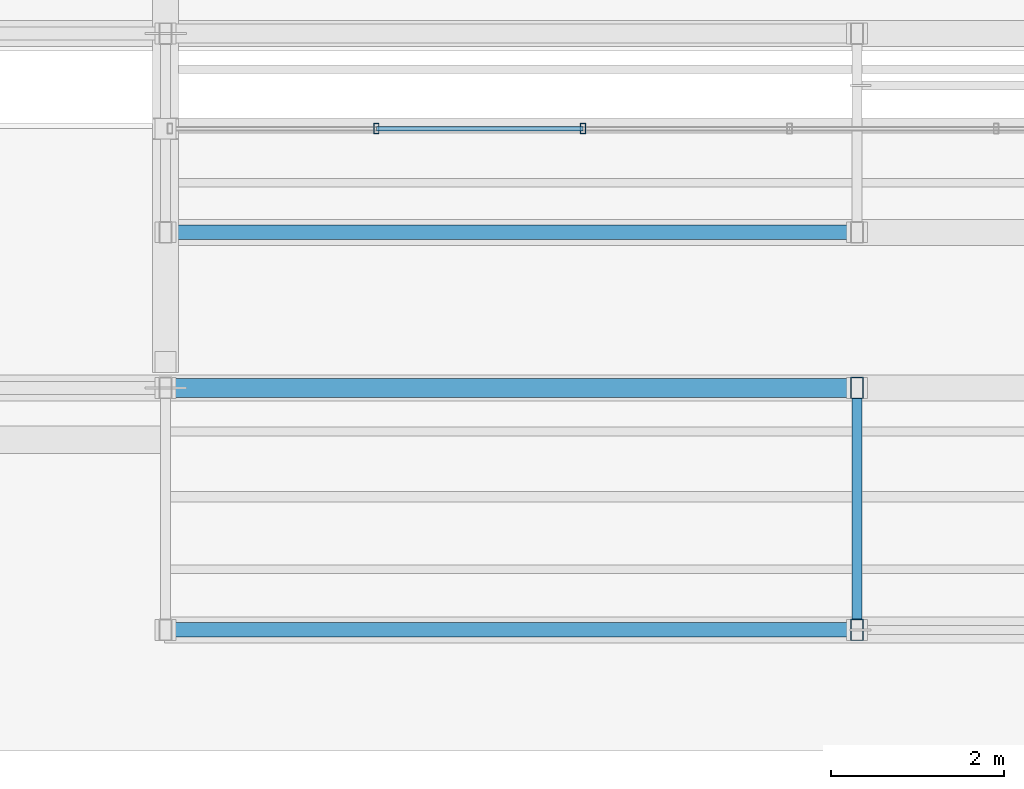
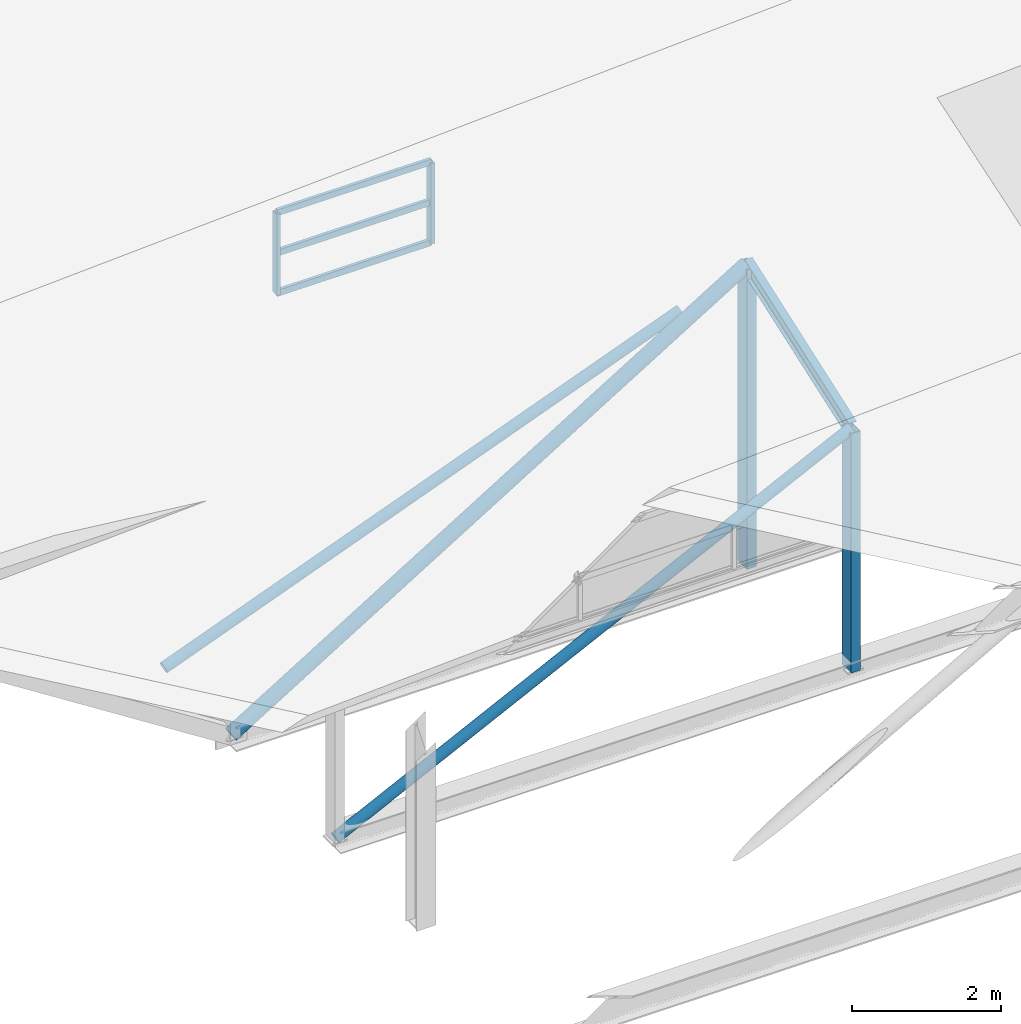
# One storey, part 76 of 141: 11 members, 1 element without a shape of its own.
"""IFC4 building model written with IfcOpenShell, lengths in metres."""

from ifc_helpers import new_model, si_unit, direction, frame, origin, origin_2d, place, context, subcontext, project, spatial, hollow_rectangle, hollow_circle, i_section, extrude, material, material_profile, profile_set, type_object, element, aggregate, save


model = new_model("IFC4")

# Units and contexts
model_context = context("Model", 3, precision=1e-05, world=origin(), true_north=direction((0.0, 1.0)))
body_context = subcontext(model_context, "Body", "Model", "MODEL_VIEW")
ifc_project = project(units=[si_unit("LENGTHUNIT", "METRE"), si_unit("AREAUNIT", "SQUARE_METRE"), si_unit("VOLUMEUNIT", "CUBIC_METRE"), si_unit("PLANEANGLEUNIT", "RADIAN"), si_unit("MASSUNIT", "GRAM", prefix="KILO")], contexts=[model_context])

# Site, building, storey
site_placement = place(None, origin())
site = spatial("IfcSite", under=ifc_project, at=site_placement, CompositionType="ELEMENT")
building_placement = place(site_placement, origin())
building = spatial("IfcBuilding", under=site, at=building_placement, Name="Sundkrona Museum", CompositionType="ELEMENT")
storey_placement = place(building_placement, frame((0.0, 0.0, 34.0)))
storey = spatial("IfcBuildingStorey", under=building, at=storey_placement, Name="RF", CompositionType="ELEMENT", Elevation=34.0)

# Curtain wall, members
ifc_material_1 = material(Name="Unitised Aluminium-Steel and Ceramic-Clad Curtain Walling", Category="steel")
curtain_wall_type = type_object("IfcCurtainWallType", Name="CW-SW-240x13", PredefinedType="NOTDEFINED", material=ifc_material_1)
curtain_wall_placement = place(storey_placement, origin())
curtain_wall = element("IfcCurtainWall", 1, at=curtain_wall_placement, inside=storey, type_object=curtain_wall_type, Name="Sawtooth Bay 6 West North-Light Clerestory", PredefinedType="NOTDEFINED")
ifc_material_2 = material(Name="Aluminium EN AW-6060 T66", Category="aluminium")
ifc_material_profile_1 = material_profile(ifc_material_2, hollow_rectangle(XDim=0.06005859375, YDim=0.1201171875, WallThickness=0.0048828125, at=origin_2d()), Name="RHS 120x60x5.0")
ifc_profile_set_1 = profile_set([ifc_material_profile_1], Name="Aluminium EN AW-6060 T66")
member_type_1 = type_object("IfcMemberType", Name="ML-120", PredefinedType="MULLION", material=ifc_profile_set_1)
member_1_placement = place(storey_placement, frame((122.43994140625, 42.699951171875, 4.31298828125), z_axis=(0.0, 0.0, 1.0), x_axis=(1.0, 0.0, 0.0)))
member_1 = element("IfcMember", 2, at=member_1_placement, type_object=member_type_1, Name="CW-RF-SAW-06W Mullion 02", PredefinedType="MULLION", context=body_context, shape_type="SweptSolid", body=[
    extrude(hollow_rectangle(XDim=0.06005859375, YDim=0.1201171875, WallThickness=0.0048828125, at=origin_2d()), origin(), (0.0, 0.0, 1.0), 1.320068359375),
])
member_2_placement = place(storey_placement, frame((124.830078125, 42.699951171875, 4.31298828125), z_axis=(0.0, 0.0, 1.0), x_axis=(1.0, 0.0, 0.0)))
member_2 = element("IfcMember", 3, at=member_2_placement, type_object=member_type_1, Name="CW-RF-SAW-06W Mullion 03", PredefinedType="MULLION", context=body_context, shape_type="SweptSolid", body=[
    extrude(hollow_rectangle(XDim=0.06005859375, YDim=0.1201171875, WallThickness=0.0048828125, at=origin_2d()), origin(), (0.0, 0.0, 1.0), 1.320068359375),
])

# Members
ifc_material_3 = material(Name="Steel S355J2", Category="steel")
ifc_material_profile_2 = material_profile(ifc_material_3, i_section(OverallWidth=0.1201171875, OverallDepth=0.239990234375, WebThickness=0.006103515625, FlangeThickness=0.009765625, FilletRadius=0.014892578125, at=origin_2d()), Name="IPE 240")
ifc_profile_set_2 = profile_set([ifc_material_profile_2], Name="Steel S355J2")
member_type_2 = type_object("IfcMemberType", Name="PR-IPE240", PredefinedType="PURLIN", material=ifc_profile_set_2)
member_3_placement = place(storey_placement, frame((128.0, 36.89990234375, 3.669677734375), z_axis=(0.0, 0.942729033287, 0.333559544605), x_axis=(-1.0, 0.0, 0.0)))
element("IfcMember", 4, at=member_3_placement, inside=storey, type_object=member_type_2, Name="RFS-1 Sawtooth Bay 6 Transverse Rafter 2", PredefinedType="PURLIN", context=body_context, shape_type="SweptSolid", body=[
    extrude(i_section(OverallWidth=0.1201171875, OverallDepth=0.239990234375, WebThickness=0.006103515625, FlangeThickness=0.009765625, FilletRadius=0.014892578125, at=origin_2d()), origin(), (0.0, 0.0, 1.0), 2.97021484375),
])
ifc_material_profile_3 = material_profile(ifc_material_3, hollow_circle(Radius=0.084228515625, WallThickness=0.008056640625, at=origin_2d()), Name="CHS 168.3x8.0")
ifc_profile_set_3 = profile_set([ifc_material_profile_3], Name="Steel S355J2")
member_type_3 = type_object("IfcMemberType", Name="ST-CHS168", PredefinedType="STRUT", material=ifc_profile_set_3)
member_4_placement = place(storey_placement, frame((120.0, 36.89990234375, -0.25), z_axis=(0.898004594714, 0.0, 0.439986076908), x_axis=(0.0, 1.0, 0.0)))
element("IfcMember", 5, at=member_4_placement, inside=storey, type_object=member_type_3, Name="RFS-1 Sawtooth Valley Truss 6 Web Strut 1", PredefinedType="STRUT", context=body_context, shape_type="SweptSolid", body=[
    extrude(hollow_circle(Radius=0.084228515625, WallThickness=0.008056640625, at=origin_2d()), origin(), (0.0, 0.0, 1.0), 8.90869140625),
])
member_5_placement = place(storey_placement, frame((120.0, 41.5, -0.25), z_axis=(0.934336330374, 0.0, 0.356392510783), x_axis=(0.0, 1.0, 0.0)))
element("IfcMember", 6, at=member_5_placement, inside=storey, type_object=member_type_3, Name="RFS-1 Sawtooth Valley Truss 7 Web Strut 1", PredefinedType="STRUT", context=body_context, shape_type="SweptSolid", body=[
    extrude(hollow_circle(Radius=0.084228515625, WallThickness=0.008056640625, at=origin_2d()), origin(), (0.0, 0.0, 1.0), 8.562255859375),
])
ifc_material_profile_4 = material_profile(ifc_material_3, hollow_circle(Radius=0.109619140625, WallThickness=0.010009765625, at=origin_2d()), Name="CHS 219.1x10.0")
ifc_profile_set_4 = profile_set([ifc_material_profile_4], Name="Steel S355J2")
member_type_4 = type_object("IfcMemberType", Name="ST-CHS219", PredefinedType="STRUT", material=ifc_profile_set_4)
member_6_placement = place(storey_placement, frame((120.0, 39.699951171875, -0.25), z_axis=(0.852260535425, 0.0, 0.523117558258), x_axis=(0.0, 1.0, 0.0)))
element("IfcMember", 7, at=member_6_placement, inside=storey, type_object=member_type_4, Name="RFS-1 Sawtooth Truss 6 Web Strut 1", PredefinedType="STRUT", context=body_context, shape_type="SweptSolid", body=[
    extrude(hollow_circle(Radius=0.109619140625, WallThickness=0.010009765625, at=origin_2d()), origin(), (0.0, 0.0, 1.0), 9.38671875),
])
ifc_material_profile_5 = material_profile(ifc_material_3, hollow_rectangle(XDim=0.14990234375, YDim=0.25, WallThickness=0.010009765625, at=origin_2d()), Name="RHS 250x150x10.0")
ifc_profile_set_5 = profile_set([ifc_material_profile_5], Name="Steel S355J2")
member_type_5 = type_object("IfcMemberType", Name="ST-RHS250", PredefinedType="STRUT", material=ifc_profile_set_5)
member_7_placement = place(storey_placement, frame((128.0, 39.699951171875, -0.25), z_axis=(0.0, 0.0, 1.0), x_axis=(1.0, 0.0, 0.0)))
element("IfcMember", 8, at=member_7_placement, inside=storey, type_object=member_type_5, Name="RFS-1 Sawtooth Truss 6 Vertical Post 2", PredefinedType="STRUT", context=body_context, shape_type="SweptSolid", body=[
    extrude(hollow_rectangle(XDim=0.14990234375, YDim=0.25, WallThickness=0.010009765625, at=origin_2d()), origin(), (0.0, 0.0, 1.0), 4.910400390625),
])
member_8_placement = place(storey_placement, frame((128.0, 36.89990234375, -0.25), z_axis=(0.0, 0.0, 1.0), x_axis=(1.0, 0.0, 0.0)))
element("IfcMember", 9, at=member_8_placement, inside=storey, type_object=member_type_5, Name="RFS-1 Sawtooth Bay 6 Valley Post 2", PredefinedType="STRUT", context=body_context, shape_type="SweptSolid", body=[
    extrude(hollow_rectangle(XDim=0.14990234375, YDim=0.25, WallThickness=0.010009765625, at=origin_2d()), origin(), (0.0, 0.0, 1.0), 3.919677734375),
])

# Member
ifc_material_profile_6 = material_profile(ifc_material_2, hollow_rectangle(XDim=0.050048828125, YDim=0.10009765625, WallThickness=0.0048828125, at=origin_2d()), Name="RHS 100x50x5.0")
ifc_profile_set_6 = profile_set([ifc_material_profile_6], Name="Aluminium EN AW-6060 T66")
member_type_6 = type_object("IfcMemberType", Name="TR-100", PredefinedType="USERDEFINED", material=ifc_profile_set_6)
member_9_placement = place(storey_placement, frame((122.43994140625, 42.699951171875, 4.31298828125), z_axis=(1.0, 0.0, 0.0), x_axis=(0.0, 1.0, 0.0)))
member_9 = element("IfcMember", 10, at=member_9_placement, type_object=member_type_6, Name="CW-RF-SAW-06W Transom 04", ObjectType="TRANSOM", PredefinedType="USERDEFINED", context=body_context, shape_type="SweptSolid", body=[
    extrude(hollow_rectangle(XDim=0.050048828125, YDim=0.10009765625, WallThickness=0.0048828125, at=origin_2d()), origin(), (0.0, 0.0, 1.0), 2.39013671875),
])

member_10_placement = place(storey_placement, frame((122.43994140625, 42.699951171875, 4.972900390625), z_axis=(1.0, 0.0, 0.0), x_axis=(0.0, 1.0, 0.0)))
member_10 = element("IfcMember", 11, at=member_10_placement, type_object=member_type_6, Name="CW-RF-SAW-06W Transom 05", ObjectType="TRANSOM", PredefinedType="USERDEFINED", context=body_context, shape_type="SweptSolid", body=[
    extrude(hollow_rectangle(XDim=0.050048828125, YDim=0.10009765625, WallThickness=0.0048828125, at=origin_2d()), origin(), (0.0, 0.0, 1.0), 2.39013671875),
])

member_11_placement = place(storey_placement, frame((122.43994140625, 42.699951171875, 5.633056640625), z_axis=(1.0, 0.0, 0.0), x_axis=(0.0, 1.0, 0.0)))
member_11 = element("IfcMember", 12, at=member_11_placement, type_object=member_type_6, Name="CW-RF-SAW-06W Transom 06", ObjectType="TRANSOM", PredefinedType="USERDEFINED", context=body_context, shape_type="SweptSolid", body=[
    extrude(hollow_rectangle(XDim=0.050048828125, YDim=0.10009765625, WallThickness=0.0048828125, at=origin_2d()), origin(), (0.0, 0.0, 1.0), 2.39013671875),
])

aggregate(curtain_wall, [member_1, member_2, member_9, member_10, member_11])

save(model, "model.ifc")
